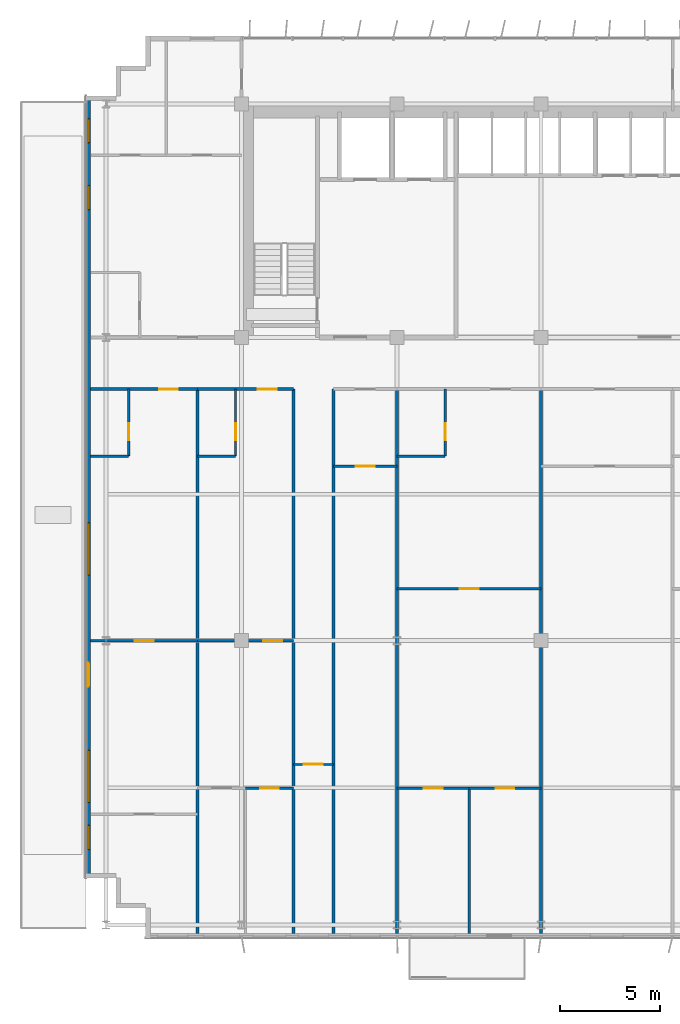
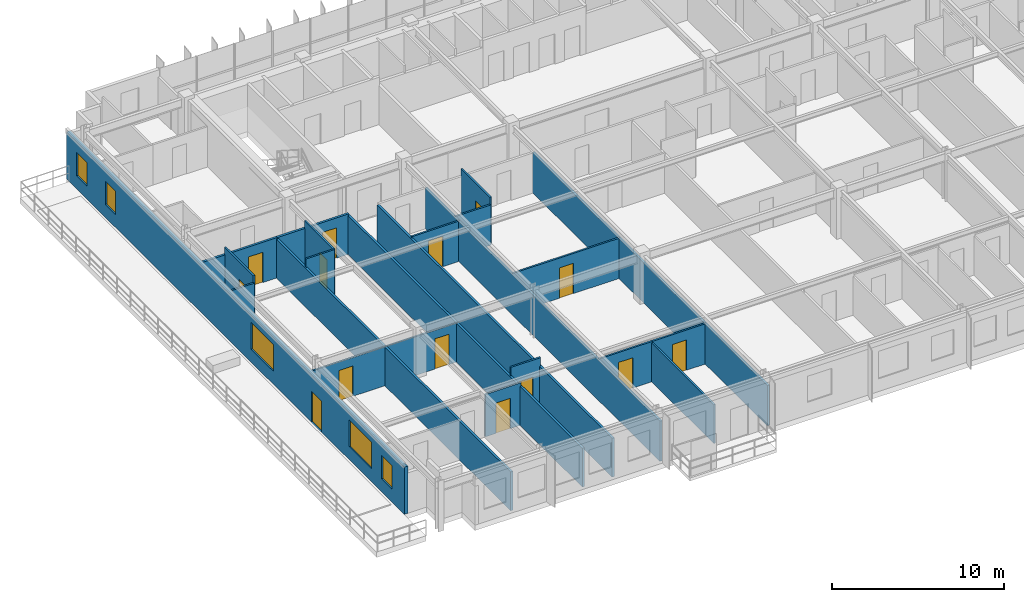
# One storey, part 14 of 22: 23 walls, 14 doors, 5 windows, 19 openings.
"""IFC4 building model written with IfcOpenShell, lengths in metres."""

from ifc_helpers import new_model, si_unit, direction, frame, frame_2d, origin, place, context, subcontext, project, spatial, rectangle, extrude, source, transform, mapped, material, layer, layer_set, type_object, element, fill, save


model = new_model("IFC4")

# Units and contexts
model_context = context("Model", 3, precision=1e-05, world=origin(), true_north=direction((0.0, 1.0)))
body_context = subcontext(model_context, "Body", "Model", "MODEL_VIEW")
ifc_project = project(units=[si_unit("LENGTHUNIT", "METRE"), si_unit("AREAUNIT", "SQUARE_METRE"), si_unit("VOLUMEUNIT", "CUBIC_METRE"), si_unit("PLANEANGLEUNIT", "RADIAN"), si_unit("MASSUNIT", "GRAM", prefix="KILO")], contexts=[model_context])

# Site, building, storey
site_placement = place(None, origin())
site = spatial("IfcSite", under=ifc_project, at=site_placement, CompositionType="ELEMENT")
building_placement = place(site_placement, origin())
building = spatial("IfcBuilding", under=site, at=building_placement, Name="Trelvane Seafront Commons", CompositionType="ELEMENT")
storey_placement = place(building_placement, frame((0.0, 0.0, 132.10009765625)))
storey = spatial("IfcBuildingStorey", under=building, at=storey_placement, Name="L34", CompositionType="ELEMENT", Elevation=132.10009765625)

# Wall, openings, windows, door
ifc_material_1 = material(Name="Precast concrete C40/50", Category="concrete")
ifc_layer_1 = layer(ifc_material_1, 0.239990234375, Name="ARCH-WALL-EXT240")
ifc_layer_set_1 = layer_set([ifc_layer_1], Name="Precast concrete C40/50")
wall_type_1 = type_object("IfcWallType", Name="ARCH-WALL-EXT240", PredefinedType="SOLIDWALL", material=ifc_layer_set_1)
wall_1_placement = place(storey_placement, frame((7.919921875, 6.300048828125, 0.0), z_axis=(0.0, 0.0, 1.0), x_axis=(0.0, 1.0, 0.0)))
wall_1 = element("IfcWall", 1, at=wall_1_placement, inside=storey, type_object=wall_type_1, Name="EW-L34-00658", PredefinedType="SOLIDWALL", context=body_context, shape_type="SweptSolid", body=[
    extrude(rectangle(XDim=39.199951171875, YDim=0.239990234375, at=frame_2d((19.60009765625, 0.0))), origin(), (0.0, 0.0, 1.0), 3.349853515625),
])
opening_1_placement = place(wall_1_placement, frame((9.60009765625, 0.0, 0.0)))
opening_1 = element("IfcOpeningElement", 2, at=opening_1_placement, cuts=wall_1, Name="Opening TD-L34-79", PredefinedType="OPENING", context=body_context, shape_type="SweptSolid", body=[
    extrude(rectangle(XDim=1.199951171875, YDim=2.199951171875, at=frame_2d((0.60009765625, 1.10009765625))), frame((0.0, 0.1298828125, 0.0), z_axis=(0.0, -1.0, 0.0), x_axis=(1.0, 0.0, 0.0)), (0.0, 0.0, 1.0), 0.260009765625),
])
opening_2_placement = place(wall_1_placement, frame((1.449951171875, 0.0, 0.919921875)))
opening_2 = element("IfcOpeningElement", 3, at=opening_2_placement, cuts=wall_1, Name="Opening W05", PredefinedType="OPENING", context=body_context, shape_type="SweptSolid", body=[
    extrude(rectangle(XDim=1.199951171875, YDim=1.64990234375, at=frame_2d((0.60009765625, 0.824951171875))), frame((0.0, 0.1298828125, 0.0), z_axis=(0.0, -1.0, 0.0), x_axis=(1.0, 0.0, 0.0)), (0.0, 0.0, 1.0), 0.260009765625),
])
opening_3_placement = place(wall_1_placement, frame((3.800048828125, 0.0, 0.919921875)))
opening_3 = element("IfcOpeningElement", 4, at=opening_3_placement, cuts=wall_1, Name="Opening W04", PredefinedType="OPENING", context=body_context, shape_type="SweptSolid", body=[
    extrude(rectangle(XDim=2.60009765625, YDim=1.89990234375, at=frame_2d((1.300048828125, 0.949951171875))), frame((0.0, 0.1298828125, 0.0), z_axis=(0.0, -1.0, 0.0), x_axis=(1.0, 0.0, 0.0)), (0.0, 0.0, 1.0), 0.260009765625),
])
opening_4_placement = place(wall_1_placement, frame((15.199951171875, 0.0, 0.919921875)))
opening_4 = element("IfcOpeningElement", 5, at=opening_4_placement, cuts=wall_1, Name="Opening W04", PredefinedType="OPENING", context=body_context, shape_type="SweptSolid", body=[
    extrude(rectangle(XDim=2.60009765625, YDim=1.89990234375, at=frame_2d((1.300048828125, 0.949951171875))), frame((0.0, 0.1298828125, 0.0), z_axis=(0.0, -1.0, 0.0), x_axis=(1.0, 0.0, 0.0)), (0.0, 0.0, 1.0), 0.260009765625),
])
opening_5_placement = place(wall_1_placement, frame((33.5, 0.0, 0.919921875)))
opening_5 = element("IfcOpeningElement", 6, at=opening_5_placement, cuts=wall_1, Name="Opening W05", PredefinedType="OPENING", context=body_context, shape_type="SweptSolid", body=[
    extrude(rectangle(XDim=1.199951171875, YDim=1.64990234375, at=frame_2d((0.60009765625, 0.824951171875))), frame((0.0, 0.1298828125, 0.0), z_axis=(0.0, -1.0, 0.0), x_axis=(1.0, 0.0, 0.0)), (0.0, 0.0, 1.0), 0.260009765625),
])
opening_6_placement = place(wall_1_placement, frame((36.85009765625, 0.0, 0.919921875)))
opening_6 = element("IfcOpeningElement", 7, at=opening_6_placement, cuts=wall_1, Name="Opening W05", PredefinedType="OPENING", context=body_context, shape_type="SweptSolid", body=[
    extrude(rectangle(XDim=1.199951171875, YDim=1.64990234375, at=frame_2d((0.60009765625, 0.824951171875))), frame((0.0, 0.1298828125, 0.0), z_axis=(0.0, -1.0, 0.0), x_axis=(1.0, 0.0, 0.0)), (0.0, 0.0, 1.0), 0.260009765625),
])
ifc_material_2 = material(Name="Low-E coastal double glazing", Category="glass")
window_type_1 = type_object("IfcWindowType", Name="ARCH-WIN-W04", PartitioningType="SINGLE_PANEL", PredefinedType="WINDOW", material=ifc_material_2)
shared_shape_1 = source(origin(), body_context, "Body", "SweptSolid", [
    extrude(rectangle(XDim=2.60009765625, YDim=1.89990234375, at=frame_2d((1.300048828125, 0.949951171875))), frame((0.0, 0.030029296875, 0.0), z_axis=(0.0, -1.0, 0.0), x_axis=(1.0, 0.0, 0.0)), (0.0, 0.0, 1.0), 0.06005859375),
])
window_1_placement = place(opening_3_placement, origin())
window_1 = element("IfcWindow", 8, at=window_1_placement, inside=storey, type_object=window_type_1, Name="WIN-L34-EW-00762", OverallHeight=1.89990234375, OverallWidth=2.60009765625, PartitioningType="SINGLE_PANEL", PredefinedType="WINDOW", context=body_context, shape_type="MappedRepresentation", body=[
    mapped(shared_shape_1, transform((0.0, 0.0, 0.0), x_axis=(1.0, 0.0, 0.0), y_axis=(0.0, 1.0, 0.0), z_axis=(0.0, 0.0, 1.0), scale=1.0)),
])
fill(opening_3, window_1)
window_2_placement = place(opening_4_placement, origin())
window_2 = element("IfcWindow", 9, at=window_2_placement, inside=storey, type_object=window_type_1, Name="WIN-L34-EW-00763", OverallHeight=1.89990234375, OverallWidth=2.60009765625, PartitioningType="SINGLE_PANEL", PredefinedType="WINDOW", context=body_context, shape_type="MappedRepresentation", body=[
    mapped(shared_shape_1, transform((0.0, 0.0, 0.0), x_axis=(1.0, 0.0, 0.0), y_axis=(0.0, 1.0, 0.0), z_axis=(0.0, 0.0, 1.0), scale=1.0)),
])
fill(opening_4, window_2)
window_type_2 = type_object("IfcWindowType", Name="ARCH-WIN-W05", PartitioningType="SINGLE_PANEL", PredefinedType="WINDOW", material=ifc_material_2)
shared_shape_2 = source(origin(), body_context, "Body", "SweptSolid", [
    extrude(rectangle(XDim=1.199951171875, YDim=1.64990234375, at=frame_2d((0.60009765625, 0.824951171875))), frame((0.0, 0.030029296875, 0.0), z_axis=(0.0, -1.0, 0.0), x_axis=(1.0, 0.0, 0.0)), (0.0, 0.0, 1.0), 0.06005859375),
])
window_3_placement = place(opening_2_placement, origin())
window_3 = element("IfcWindow", 10, at=window_3_placement, inside=storey, type_object=window_type_2, Name="WIN-L34-EW-00761", OverallHeight=1.64990234375, OverallWidth=1.199951171875, PartitioningType="SINGLE_PANEL", PredefinedType="WINDOW", context=body_context, shape_type="MappedRepresentation", body=[
    mapped(shared_shape_2, transform((0.0, 0.0, 0.0), x_axis=(1.0, 0.0, 0.0), y_axis=(0.0, 1.0, 0.0), z_axis=(0.0, 0.0, 1.0), scale=1.0)),
])
fill(opening_2, window_3)
window_4_placement = place(opening_5_placement, origin())
window_4 = element("IfcWindow", 11, at=window_4_placement, inside=storey, type_object=window_type_2, Name="WIN-L34-EW-00764", OverallHeight=1.64990234375, OverallWidth=1.199951171875, PartitioningType="SINGLE_PANEL", PredefinedType="WINDOW", context=body_context, shape_type="MappedRepresentation", body=[
    mapped(shared_shape_2, transform((0.0, 0.0, 0.0), x_axis=(1.0, 0.0, 0.0), y_axis=(0.0, 1.0, 0.0), z_axis=(0.0, 0.0, 1.0), scale=1.0)),
])
fill(opening_5, window_4)
window_5_placement = place(opening_6_placement, origin())
window_5 = element("IfcWindow", 12, at=window_5_placement, inside=storey, type_object=window_type_2, Name="WIN-L34-EW-00765", OverallHeight=1.64990234375, OverallWidth=1.199951171875, PartitioningType="SINGLE_PANEL", PredefinedType="WINDOW", context=body_context, shape_type="MappedRepresentation", body=[
    mapped(shared_shape_2, transform((0.0, 0.0, 0.0), x_axis=(1.0, 0.0, 0.0), y_axis=(0.0, 1.0, 0.0), z_axis=(0.0, 0.0, 1.0), scale=1.0)),
])
fill(opening_6, window_5)
ifc_material_3 = material(Name="Powder-coated aluminium frame", Category="aluminium")
door_type_1 = type_object("IfcDoorType", Name="ARCH-DR-BAL1200", OperationType="NOTDEFINED", PredefinedType="DOOR", material=ifc_material_3)
shared_shape_3 = source(origin(), body_context, "Body", "SweptSolid", [
    extrude(rectangle(XDim=1.199951171875, YDim=2.199951171875, at=frame_2d((0.60009765625, 1.10009765625))), frame((0.0, 0.02490234375, 0.0), z_axis=(0.0, -1.0, 0.0), x_axis=(1.0, 0.0, 0.0)), (0.0, 0.0, 1.0), 0.050048828125),
])
door_1_placement = place(opening_1_placement, origin())
door_1 = element("IfcDoor", 13, at=door_1_placement, inside=storey, type_object=door_type_1, Name="L34 Setback Terrace Access Door", OperationType="SINGLE_SWING_RIGHT", OverallHeight=2.199951171875, OverallWidth=1.199951171875, PredefinedType="DOOR", context=body_context, shape_type="MappedRepresentation", body=[
    mapped(shared_shape_3, transform((0.0, 0.0, 0.0), x_axis=(1.0, 0.0, 0.0), y_axis=(0.0, 1.0, 0.0), z_axis=(0.0, 0.0, 1.0), scale=1.0)),
])
fill(opening_1, door_1)

# Wall, opening, door
ifc_material_4 = material(Name="Gypsum Drywall Acoustic Partition")
ifc_layer_2 = layer(ifc_material_4, 0.1201171875, Name="ARCH-WALL-PART120")
ifc_layer_set_2 = layer_set([ifc_layer_2], Name="Gypsum Drywall Acoustic Partition")
wall_type_2 = type_object("IfcWallType", Name="ARCH-WALL-PART120", PredefinedType="PARTITIONING", material=ifc_layer_set_2)
wall_2_placement = place(storey_placement, frame((8.0400390625, 18.199951171875, 0.0), z_axis=(0.0, 0.0, 1.0), x_axis=(1.0, 0.0, 0.0)))
wall_2 = element("IfcWall", 14, at=wall_2_placement, inside=storey, type_object=wall_type_2, Name="W-L34-U1-KL-060", PredefinedType="PARTITIONING", context=body_context, shape_type="SweptSolid", body=[
    extrude(rectangle(XDim=5.35986328125, YDim=0.1201171875, at=frame_2d((2.679931640625, 0.0))), origin(), (0.0, 0.0, 1.0), 2.75),
])
opening_7_placement = place(wall_2_placement, frame((2.205078125, 0.0, 0.0)))
opening_7 = element("IfcOpeningElement", 15, at=opening_7_placement, cuts=wall_2, Name="Opening D-L34-29", PredefinedType="OPENING", context=body_context, shape_type="SweptSolid", body=[
    extrude(rectangle(XDim=0.949951171875, YDim=2.14990234375, at=frame_2d((0.47509765625, 1.074951171875))), frame((0.0, 0.070068359375, 0.0), z_axis=(0.0, -1.0, 0.0), x_axis=(1.0, 0.0, 0.0)), (0.0, 0.0, 1.0), 0.14013671875),
])
ifc_material_5 = material(Name="Acoustic timber door leaf", Category="wood")
door_type_2 = type_object("IfcDoorType", Name="ARCH-DR-INT950", OperationType="NOTDEFINED", PredefinedType="DOOR", material=ifc_material_5)
shared_shape_4 = source(origin(), body_context, "Body", "SweptSolid", [
    extrude(rectangle(XDim=0.949951171875, YDim=2.14990234375, at=frame_2d((0.47509765625, 1.074951171875))), frame((0.0, 0.02490234375, 0.0), z_axis=(0.0, -1.0, 0.0), x_axis=(1.0, 0.0, 0.0)), (0.0, 0.0, 1.0), 0.050048828125),
])
door_2_placement = place(opening_7_placement, origin())
door_2 = element("IfcDoor", 16, at=door_2_placement, inside=storey, type_object=door_type_2, Name="L34 Door 29", OperationType="SINGLE_SWING_LEFT", OverallHeight=2.14990234375, OverallWidth=0.949951171875, PredefinedType="DOOR", context=body_context, shape_type="MappedRepresentation", body=[
    mapped(shared_shape_4, transform((0.0, 0.0, 0.0), x_axis=(1.0, 0.0, 0.0), y_axis=(0.0, 1.0, 0.0), z_axis=(0.0, 0.0, 1.0), scale=1.0)),
])
fill(opening_7, door_2)

wall_3_placement = place(storey_placement, frame((9.93994140625, 27.449951171875, 0.0), z_axis=(0.0, 0.0, 1.0), x_axis=(0.0, 1.0, 0.0)))
wall_3 = element("IfcWall", 17, at=wall_3_placement, inside=storey, type_object=wall_type_2, Name="W-L34-U1-BE-061", PredefinedType="PARTITIONING", context=body_context, shape_type="SweptSolid", body=[
    extrude(rectangle(XDim=3.35009765625, YDim=0.1201171875, at=frame_2d((1.675048828125, 0.0))), origin(), (0.0, 0.0, 1.0), 3.349853515625),
])
opening_8_placement = place(wall_3_placement, frame((0.800048828125, 0.0, 0.0)))
opening_8 = element("IfcOpeningElement", 18, at=opening_8_placement, cuts=wall_3, Name="Opening D-L34-30", PredefinedType="OPENING", context=body_context, shape_type="SweptSolid", body=[
    extrude(rectangle(XDim=0.85009765625, YDim=2.10009765625, at=frame_2d((0.425048828125, 1.050048828125))), frame((0.0, 0.070068359375, 0.0), z_axis=(0.0, -1.0, 0.0), x_axis=(1.0, 0.0, 0.0)), (0.0, 0.0, 1.0), 0.14013671875),
])
door_type_3 = type_object("IfcDoorType", Name="ARCH-DR-INT850", OperationType="NOTDEFINED", PredefinedType="DOOR", material=ifc_material_5)
shared_shape_5 = source(origin(), body_context, "Body", "SweptSolid", [
    extrude(rectangle(XDim=0.85009765625, YDim=2.10009765625, at=frame_2d((0.425048828125, 1.050048828125))), frame((0.0, 0.02490234375, 0.0), z_axis=(0.0, -1.0, 0.0), x_axis=(1.0, 0.0, 0.0)), (0.0, 0.0, 1.0), 0.050048828125),
])
door_3_placement = place(opening_8_placement, origin())
door_3 = element("IfcDoor", 19, at=door_3_placement, inside=storey, type_object=door_type_3, Name="L34 Door 30", OperationType="SINGLE_SWING_RIGHT", OverallHeight=2.10009765625, OverallWidth=0.85009765625, PredefinedType="DOOR", context=body_context, shape_type="MappedRepresentation", body=[
    mapped(shared_shape_5, transform((0.0, 0.0, 0.0), x_axis=(1.0, 0.0, 0.0), y_axis=(0.0, 1.0, 0.0), z_axis=(0.0, 0.0, 1.0), scale=1.0)),
])
fill(opening_8, door_3)

# Wall
wall_4_placement = place(storey_placement, frame((8.0400390625, 27.449951171875, 0.0), z_axis=(0.0, 0.0, 1.0), x_axis=(1.0, 0.0, 0.0)))
element("IfcWall", 20, at=wall_4_placement, inside=storey, type_object=wall_type_2, Name="W-L34-U1-BS-062", PredefinedType="PARTITIONING", context=body_context, shape_type="SweptSolid", body=[
    extrude(rectangle(XDim=1.89990234375, YDim=0.1201171875, at=frame_2d((0.949951171875, 0.0))), origin(), (0.0, 0.0, 1.0), 2.849853515625),
])

# Wall, opening, door
wall_5_placement = place(storey_placement, frame((13.39990234375, 18.199951171875, 0.0), z_axis=(0.0, 0.0, 1.0), x_axis=(1.0, 0.0, 0.0)))
wall_5 = element("IfcWall", 21, at=wall_5_placement, inside=storey, type_object=wall_type_2, Name="W-L34-U2-KL-065", PredefinedType="PARTITIONING", context=body_context, shape_type="SweptSolid", body=[
    extrude(rectangle(XDim=4.800048828125, YDim=0.1201171875, at=frame_2d((2.39990234375, 0.0))), origin(), (0.0, 0.0, 1.0), 2.75),
])
opening_9_placement = place(wall_5_placement, frame((3.2880859375, 0.0, 0.0)))
opening_9 = element("IfcOpeningElement", 22, at=opening_9_placement, cuts=wall_5, Name="Opening D-L34-33", PredefinedType="OPENING", context=body_context, shape_type="SweptSolid", body=[
    extrude(rectangle(XDim=0.949951171875, YDim=2.14990234375, at=frame_2d((0.47509765625, 1.074951171875))), frame((0.0, 0.070068359375, 0.0), z_axis=(0.0, -1.0, 0.0), x_axis=(1.0, 0.0, 0.0)), (0.0, 0.0, 1.0), 0.14013671875),
])
door_4_placement = place(opening_9_placement, origin())
door_4 = element("IfcDoor", 23, at=door_4_placement, inside=storey, type_object=door_type_2, Name="L34 Door 33", OperationType="SINGLE_SWING_LEFT", OverallHeight=2.14990234375, OverallWidth=0.949951171875, PredefinedType="DOOR", context=body_context, shape_type="MappedRepresentation", body=[
    mapped(shared_shape_4, transform((0.0, 0.0, 0.0), x_axis=(1.0, 0.0, 0.0), y_axis=(0.0, 1.0, 0.0), z_axis=(0.0, 0.0, 1.0), scale=1.0)),
])
fill(opening_9, door_4)

wall_6_placement = place(storey_placement, frame((15.300048828125, 27.449951171875, 0.0), z_axis=(0.0, 0.0, 1.0), x_axis=(0.0, 1.0, 0.0)))
wall_6 = element("IfcWall", 24, at=wall_6_placement, inside=storey, type_object=wall_type_2, Name="W-L34-U2-BE-066", PredefinedType="PARTITIONING", context=body_context, shape_type="SweptSolid", body=[
    extrude(rectangle(XDim=3.35009765625, YDim=0.1201171875, at=frame_2d((1.675048828125, 0.0))), origin(), (0.0, 0.0, 1.0), 3.349853515625),
])
opening_10_placement = place(wall_6_placement, frame((0.800048828125, 0.0, 0.0)))
opening_10 = element("IfcOpeningElement", 25, at=opening_10_placement, cuts=wall_6, Name="Opening D-L34-34", PredefinedType="OPENING", context=body_context, shape_type="SweptSolid", body=[
    extrude(rectangle(XDim=0.85009765625, YDim=2.10009765625, at=frame_2d((0.425048828125, 1.050048828125))), frame((0.0, 0.070068359375, 0.0), z_axis=(0.0, -1.0, 0.0), x_axis=(1.0, 0.0, 0.0)), (0.0, 0.0, 1.0), 0.14013671875),
])
door_5_placement = place(opening_10_placement, origin())
door_5 = element("IfcDoor", 26, at=door_5_placement, inside=storey, type_object=door_type_3, Name="L34 Door 34", OperationType="SINGLE_SWING_RIGHT", OverallHeight=2.10009765625, OverallWidth=0.85009765625, PredefinedType="DOOR", context=body_context, shape_type="MappedRepresentation", body=[
    mapped(shared_shape_5, transform((0.0, 0.0, 0.0), x_axis=(1.0, 0.0, 0.0), y_axis=(0.0, 1.0, 0.0), z_axis=(0.0, 0.0, 1.0), scale=1.0)),
])
fill(opening_10, door_5)

# Wall
wall_7_placement = place(storey_placement, frame((13.39990234375, 27.449951171875, 0.0), z_axis=(0.0, 0.0, 1.0), x_axis=(1.0, 0.0, 0.0)))
element("IfcWall", 27, at=wall_7_placement, inside=storey, type_object=wall_type_2, Name="W-L34-U2-BS-067", PredefinedType="PARTITIONING", context=body_context, shape_type="SweptSolid", body=[
    extrude(rectangle(XDim=1.900146484375, YDim=0.1201171875, at=frame_2d((0.9501953125, 0.0))), origin(), (0.0, 0.0, 1.0), 3.349853515625),
])

# Wall, opening, door
wall_8_placement = place(storey_placement, frame((15.800048828125, 10.800048828125, 0.0), z_axis=(0.0, 0.0, 1.0), x_axis=(1.0, 0.0, 0.0)))
wall_8 = element("IfcWall", 28, at=wall_8_placement, inside=storey, type_object=wall_type_2, Name="W-L34-U2-YM-2-070", PredefinedType="PARTITIONING", context=body_context, shape_type="SweptSolid", body=[
    extrude(rectangle(XDim=2.39990234375, YDim=0.1201171875, at=frame_2d((1.199951171875, 0.0))), origin(), (0.0, 0.0, 1.0), 3.0),
])
opening_11_placement = place(wall_8_placement, frame((0.72509765625, 0.0, 0.0)))
opening_11 = element("IfcOpeningElement", 29, at=opening_11_placement, cuts=wall_8, Name="Opening D-L34-37", PredefinedType="OPENING", context=body_context, shape_type="SweptSolid", body=[
    extrude(rectangle(XDim=0.949951171875, YDim=2.14990234375, at=frame_2d((0.47509765625, 1.074951171875))), frame((0.0, 0.070068359375, 0.0), z_axis=(0.0, -1.0, 0.0), x_axis=(1.0, 0.0, 0.0)), (0.0, 0.0, 1.0), 0.14013671875),
])
door_6_placement = place(opening_11_placement, origin())
door_6 = element("IfcDoor", 30, at=door_6_placement, inside=storey, type_object=door_type_2, Name="L34 Door 37", OperationType="SINGLE_SWING_LEFT", OverallHeight=2.14990234375, OverallWidth=0.949951171875, PredefinedType="DOOR", context=body_context, shape_type="MappedRepresentation", body=[
    mapped(shared_shape_4, transform((0.0, 0.0, 0.0), x_axis=(1.0, 0.0, 0.0), y_axis=(0.0, 1.0, 0.0), z_axis=(0.0, 0.0, 1.0), scale=1.0)),
])
fill(opening_11, door_6)

wall_9_placement = place(storey_placement, frame((18.199951171875, 12.0, 0.0), z_axis=(0.0, 0.0, 1.0), x_axis=(1.0, 0.0, 0.0)))
wall_9 = element("IfcWall", 31, at=wall_9_placement, inside=storey, type_object=wall_type_2, Name="W-L34-ARM-END-3-074", PredefinedType="PARTITIONING", context=body_context, shape_type="SweptSolid", body=[
    extrude(rectangle(XDim=2.0, YDim=0.1201171875, at=frame_2d((1.0, 0.0))), origin(), (0.0, 0.0, 1.0), 3.349853515625),
])
opening_12_placement = place(wall_9_placement, frame((0.52001953125, 0.0, 0.0)))
opening_12 = element("IfcOpeningElement", 32, at=opening_12_placement, cuts=wall_9, Name="Opening D-L34-38", PredefinedType="OPENING", context=body_context, shape_type="SweptSolid", body=[
    extrude(rectangle(XDim=0.949951171875, YDim=2.14990234375, at=frame_2d((0.47509765625, 1.074951171875))), frame((0.0, 0.070068359375, 0.0), z_axis=(0.0, -1.0, 0.0), x_axis=(1.0, 0.0, 0.0)), (0.0, 0.0, 1.0), 0.14013671875),
])
door_7_placement = place(opening_12_placement, origin())
door_7 = element("IfcDoor", 33, at=door_7_placement, inside=storey, type_object=door_type_2, Name="L34 Door 38", OperationType="SINGLE_SWING_RIGHT", OverallHeight=2.14990234375, OverallWidth=0.949951171875, PredefinedType="DOOR", context=body_context, shape_type="MappedRepresentation", body=[
    mapped(shared_shape_4, transform((0.0, 0.0, 0.0), x_axis=(1.0, 0.0, 0.0), y_axis=(0.0, 1.0, 0.0), z_axis=(0.0, 0.0, 1.0), scale=1.0)),
])
fill(opening_12, door_7)

wall_10_placement = place(storey_placement, frame((20.199951171875, 26.949951171875, 0.0), z_axis=(0.0, 0.0, 1.0), x_axis=(1.0, 0.0, 0.0)))
wall_10 = element("IfcWall", 34, at=wall_10_placement, inside=storey, type_object=wall_type_2, Name="W-L34-U4-DIV-076", PredefinedType="PARTITIONING", context=body_context, shape_type="SweptSolid", body=[
    extrude(rectangle(XDim=3.199951171875, YDim=0.1201171875, at=frame_2d((1.60009765625, 0.0))), origin(), (0.0, 0.0, 1.0), 2.849853515625),
])
opening_13_placement = place(wall_10_placement, frame((1.125, 0.0, 0.0)))
opening_13 = element("IfcOpeningElement", 35, at=opening_13_placement, cuts=wall_10, Name="Opening D-L34-40", PredefinedType="OPENING", context=body_context, shape_type="SweptSolid", body=[
    extrude(rectangle(XDim=0.949951171875, YDim=2.14990234375, at=frame_2d((0.47509765625, 1.074951171875))), frame((0.0, 0.070068359375, 0.0), z_axis=(0.0, -1.0, 0.0), x_axis=(1.0, 0.0, 0.0)), (0.0, 0.0, 1.0), 0.14013671875),
])
door_8_placement = place(opening_13_placement, origin())
door_8 = element("IfcDoor", 36, at=door_8_placement, inside=storey, type_object=door_type_2, Name="L34 Door 40", OperationType="SINGLE_SWING_RIGHT", OverallHeight=2.14990234375, OverallWidth=0.949951171875, PredefinedType="DOOR", context=body_context, shape_type="MappedRepresentation", body=[
    mapped(shared_shape_4, transform((0.0, 0.0, 0.0), x_axis=(1.0, 0.0, 0.0), y_axis=(0.0, 1.0, 0.0), z_axis=(0.0, 0.0, 1.0), scale=1.0)),
])
fill(opening_13, door_8)

wall_11_placement = place(storey_placement, frame((23.39990234375, 20.800048828125, 0.0), z_axis=(0.0, 0.0, 1.0), x_axis=(1.0, 0.0, 0.0)))
wall_11 = element("IfcWall", 37, at=wall_11_placement, inside=storey, type_object=wall_type_2, Name="W-L34-U5-KL-077", PredefinedType="PARTITIONING", context=body_context, shape_type="SweptSolid", body=[
    extrude(rectangle(XDim=7.2001953125, YDim=0.1201171875, at=frame_2d((3.60009765625, 0.0))), origin(), (0.0, 0.0, 1.0), 2.849853515625),
])
opening_14_placement = place(wall_11_placement, frame((3.125, 0.0, 0.0)))
opening_14 = element("IfcOpeningElement", 38, at=opening_14_placement, cuts=wall_11, Name="Opening D-L34-41", PredefinedType="OPENING", context=body_context, shape_type="SweptSolid", body=[
    extrude(rectangle(XDim=0.949951171875, YDim=2.14990234375, at=frame_2d((0.47509765625, 1.074951171875))), frame((0.0, 0.070068359375, 0.0), z_axis=(0.0, -1.0, 0.0), x_axis=(1.0, 0.0, 0.0)), (0.0, 0.0, 1.0), 0.14013671875),
])
door_9_placement = place(opening_14_placement, origin())
door_9 = element("IfcDoor", 39, at=door_9_placement, inside=storey, type_object=door_type_2, Name="L34 Door 41", OperationType="SINGLE_SWING_LEFT", OverallHeight=2.14990234375, OverallWidth=0.949951171875, PredefinedType="DOOR", context=body_context, shape_type="MappedRepresentation", body=[
    mapped(shared_shape_4, transform((0.0, 0.0, 0.0), x_axis=(1.0, 0.0, 0.0), y_axis=(0.0, 1.0, 0.0), z_axis=(0.0, 0.0, 1.0), scale=1.0)),
])
fill(opening_14, door_9)

wall_12_placement = place(storey_placement, frame((25.800048828125, 27.449951171875, 0.0), z_axis=(0.0, 0.0, 1.0), x_axis=(0.0, 1.0, 0.0)))
wall_12 = element("IfcWall", 40, at=wall_12_placement, inside=storey, type_object=wall_type_2, Name="W-L34-U5-BE-078", PredefinedType="PARTITIONING", context=body_context, shape_type="SweptSolid", body=[
    extrude(rectangle(XDim=3.35009765625, YDim=0.1201171875, at=frame_2d((1.675048828125, 0.0))), origin(), (0.0, 0.0, 1.0), 3.349853515625),
])
opening_15_placement = place(wall_12_placement, frame((0.800048828125, 0.0, 0.0)))
opening_15 = element("IfcOpeningElement", 41, at=opening_15_placement, cuts=wall_12, Name="Opening D-L34-42", PredefinedType="OPENING", context=body_context, shape_type="SweptSolid", body=[
    extrude(rectangle(XDim=0.85009765625, YDim=2.10009765625, at=frame_2d((0.425048828125, 1.050048828125))), frame((0.0, 0.070068359375, 0.0), z_axis=(0.0, -1.0, 0.0), x_axis=(1.0, 0.0, 0.0)), (0.0, 0.0, 1.0), 0.14013671875),
])
door_10_placement = place(opening_15_placement, origin())
door_10 = element("IfcDoor", 42, at=door_10_placement, inside=storey, type_object=door_type_3, Name="L34 Door 42", OperationType="SINGLE_SWING_RIGHT", OverallHeight=2.10009765625, OverallWidth=0.85009765625, PredefinedType="DOOR", context=body_context, shape_type="MappedRepresentation", body=[
    mapped(shared_shape_5, transform((0.0, 0.0, 0.0), x_axis=(1.0, 0.0, 0.0), y_axis=(0.0, 1.0, 0.0), z_axis=(0.0, 0.0, 1.0), scale=1.0)),
])
fill(opening_15, door_10)

# Wall
wall_13_placement = place(storey_placement, frame((23.39990234375, 27.449951171875, 0.0), z_axis=(0.0, 0.0, 1.0), x_axis=(1.0, 0.0, 0.0)))
element("IfcWall", 43, at=wall_13_placement, inside=storey, type_object=wall_type_2, Name="W-L34-U5-BS-079", PredefinedType="PARTITIONING", context=body_context, shape_type="SweptSolid", body=[
    extrude(rectangle(XDim=2.400146484375, YDim=0.1201171875, at=frame_2d((1.2001953125, 0.0))), origin(), (0.0, 0.0, 1.0), 2.849853515625),
])

# Wall, opening, door
wall_14_placement = place(storey_placement, frame((23.39990234375, 10.800048828125, 0.0), z_axis=(0.0, 0.0, 1.0), x_axis=(1.0, 0.0, 0.0)))
wall_14 = element("IfcWall", 44, at=wall_14_placement, inside=storey, type_object=wall_type_2, Name="W-L34-U5-YM-1-081", PredefinedType="PARTITIONING", context=body_context, shape_type="SweptSolid", body=[
    extrude(rectangle(XDim=3.60009765625, YDim=0.1201171875, at=frame_2d((1.800048828125, 0.0))), origin(), (0.0, 0.0, 1.0), 2.849853515625),
])
opening_16_placement = place(wall_14_placement, frame((1.324951171875, 0.0, 0.0)))
opening_16 = element("IfcOpeningElement", 45, at=opening_16_placement, cuts=wall_14, Name="Opening D-L34-44", PredefinedType="OPENING", context=body_context, shape_type="SweptSolid", body=[
    extrude(rectangle(XDim=0.949951171875, YDim=2.14990234375, at=frame_2d((0.47509765625, 1.074951171875))), frame((0.0, 0.070068359375, 0.0), z_axis=(0.0, -1.0, 0.0), x_axis=(1.0, 0.0, 0.0)), (0.0, 0.0, 1.0), 0.14013671875),
])
door_11_placement = place(opening_16_placement, origin())
door_11 = element("IfcDoor", 46, at=door_11_placement, inside=storey, type_object=door_type_2, Name="L34 Door 44", OperationType="SINGLE_SWING_RIGHT", OverallHeight=2.14990234375, OverallWidth=0.949951171875, PredefinedType="DOOR", context=body_context, shape_type="MappedRepresentation", body=[
    mapped(shared_shape_4, transform((0.0, 0.0, 0.0), x_axis=(1.0, 0.0, 0.0), y_axis=(0.0, 1.0, 0.0), z_axis=(0.0, 0.0, 1.0), scale=1.0)),
])
fill(opening_16, door_11)

wall_15_placement = place(storey_placement, frame((27.0, 10.800048828125, 0.0), z_axis=(0.0, 0.0, 1.0), x_axis=(1.0, 0.0, 0.0)))
wall_15 = element("IfcWall", 47, at=wall_15_placement, inside=storey, type_object=wall_type_2, Name="W-L34-U5-YM-2-082", PredefinedType="PARTITIONING", context=body_context, shape_type="SweptSolid", body=[
    extrude(rectangle(XDim=3.60009765625, YDim=0.1201171875, at=frame_2d((1.800048828125, 0.0))), origin(), (0.0, 0.0, 1.0), 2.849853515625),
])
opening_17_placement = place(wall_15_placement, frame((1.324951171875, 0.0, 0.0)))
opening_17 = element("IfcOpeningElement", 48, at=opening_17_placement, cuts=wall_15, Name="Opening D-L34-45", PredefinedType="OPENING", context=body_context, shape_type="SweptSolid", body=[
    extrude(rectangle(XDim=0.949951171875, YDim=2.14990234375, at=frame_2d((0.47509765625, 1.074951171875))), frame((0.0, 0.070068359375, 0.0), z_axis=(0.0, -1.0, 0.0), x_axis=(1.0, 0.0, 0.0)), (0.0, 0.0, 1.0), 0.14013671875),
])
door_12_placement = place(opening_17_placement, origin())
door_12 = element("IfcDoor", 49, at=door_12_placement, inside=storey, type_object=door_type_2, Name="L34 Door 45", OperationType="SINGLE_SWING_LEFT", OverallHeight=2.14990234375, OverallWidth=0.949951171875, PredefinedType="DOOR", context=body_context, shape_type="MappedRepresentation", body=[
    mapped(shared_shape_4, transform((0.0, 0.0, 0.0), x_axis=(1.0, 0.0, 0.0), y_axis=(0.0, 1.0, 0.0), z_axis=(0.0, 0.0, 1.0), scale=1.0)),
])
fill(opening_17, door_12)

# Walls
wall_16_placement = place(storey_placement, frame((27.0, 3.52490234375, 0.0), z_axis=(0.0, 0.0, 1.0), x_axis=(0.0, 1.0, 0.0)))
element("IfcWall", 50, at=wall_16_placement, inside=storey, type_object=wall_type_2, Name="W-L34-U5-BDV-1-083", PredefinedType="PARTITIONING", context=body_context, shape_type="SweptSolid", body=[
    extrude(rectangle(XDim=7.275146484375, YDim=0.1201171875, at=frame_2d((3.6376953125, 0.0))), origin(), (0.0, 0.0, 1.0), 2.75),
])
ifc_layer_3 = layer(ifc_material_4, 0.14990234375, Name="ARCH-WALL-PART150")
ifc_layer_set_3 = layer_set([ifc_layer_3], Name="Gypsum Drywall Acoustic Partition")
wall_type_3 = type_object("IfcWallType", Name="ARCH-WALL-PART150", PredefinedType="PARTITIONING", material=ifc_layer_set_3)
wall_17_placement = place(storey_placement, frame((13.39990234375, 3.52490234375, 0.0), z_axis=(0.0, 0.0, 1.0), x_axis=(0.0, 1.0, 0.0)))
element("IfcWall", 51, at=wall_17_placement, inside=storey, type_object=wall_type_3, Name="W-L34-PW-1-053", PredefinedType="PARTITIONING", context=body_context, shape_type="SweptSolid", body=[
    extrude(rectangle(XDim=27.275146484375, YDim=0.14990234375, at=frame_2d((13.6376953125, 0.0))), origin(), (0.0, 0.0, 1.0), 2.75),
])
for number, where, z_axis, x_axis, name in (
    (52, (23.39990234375, 3.52490234375, 0.0), (0.0, 0.0, 1.0), (0.0, 1.0, 0.0), "W-L34-PW-4-054"),
    (53, (30.60009765625, 3.52490234375, 0.0), (0.0, 0.0, 1.0), (0.0, 1.0, 0.0), "W-L34-PW-5-055"),
):
    element("IfcWall", number, at=place(storey_placement, frame(where, z_axis=z_axis, x_axis=x_axis)), inside=storey, type_object=wall_type_3, Name=name, PredefinedType="PARTITIONING", context=body_context, shape_type="SweptSolid", body=[
        extrude(rectangle(XDim=27.275146484375, YDim=0.14990234375, at=frame_2d((13.6376953125, 0.0))), origin(), (0.0, 0.0, 1.0), 2.849853515625),
    ])

# Wall, opening, door
wall_18_placement = place(storey_placement, frame((8.02490234375, 30.800048828125, 0.0), z_axis=(0.0, 0.0, 1.0), x_axis=(1.0, 0.0, 0.0)))
wall_18 = element("IfcWall", 54, at=wall_18_placement, inside=storey, type_object=wall_type_3, Name="W-L34-CS-BAY-1-063", PredefinedType="PARTITIONING", context=body_context, shape_type="SweptSolid", body=[
    extrude(rectangle(XDim=5.375, YDim=0.14990234375, at=frame_2d((2.6875, 0.0))), origin(), (0.0, 0.0, 1.0), 2.849853515625),
])
opening_18_placement = place(wall_18_placement, frame((3.43994140625, 0.0, 0.0)))
opening_18 = element("IfcOpeningElement", 55, at=opening_18_placement, cuts=wall_18, Name="Opening FD-L34-31", PredefinedType="OPENING", context=body_context, shape_type="SweptSolid", body=[
    extrude(rectangle(XDim=0.949951171875, YDim=2.14990234375, at=frame_2d((0.47509765625, 1.074951171875))), frame((0.0, 0.0849609375, 0.0), z_axis=(0.0, -1.0, 0.0), x_axis=(1.0, 0.0, 0.0)), (0.0, 0.0, 1.0), 0.169921875),
])
door_type_4 = type_object("IfcDoorType", Name="ARCH-DR-FD60-950", OperationType="NOTDEFINED", PredefinedType="DOOR", material=ifc_material_3)
door_13_placement = place(opening_18_placement, origin())
door_13 = element("IfcDoor", 56, at=door_13_placement, inside=storey, type_object=door_type_4, Name="L34 Unit 01 Entrance Door", OperationType="SINGLE_SWING_LEFT", OverallHeight=2.14990234375, OverallWidth=0.949951171875, PredefinedType="DOOR", context=body_context, shape_type="MappedRepresentation", body=[
    mapped(shared_shape_4, transform((0.0, 0.0, 0.0), x_axis=(1.0, 0.0, 0.0), y_axis=(0.0, 1.0, 0.0), z_axis=(0.0, 0.0, 1.0), scale=1.0)),
])
fill(opening_18, door_13)

wall_19_placement = place(storey_placement, frame((13.39990234375, 30.800048828125, 0.0), z_axis=(0.0, 0.0, 1.0), x_axis=(1.0, 0.0, 0.0)))
wall_19 = element("IfcWall", 57, at=wall_19_placement, inside=storey, type_object=wall_type_3, Name="W-L34-CS-BAY-2-068", PredefinedType="PARTITIONING", context=body_context, shape_type="SweptSolid", body=[
    extrude(rectangle(XDim=4.800048828125, YDim=0.14990234375, at=frame_2d((2.39990234375, 0.0))), origin(), (0.0, 0.0, 1.0), 2.849853515625),
])
opening_19_placement = place(wall_19_placement, frame((3.01904296875, 0.0, 0.0)))
opening_19 = element("IfcOpeningElement", 58, at=opening_19_placement, cuts=wall_19, Name="Opening FD-L34-35", PredefinedType="OPENING", context=body_context, shape_type="SweptSolid", body=[
    extrude(rectangle(XDim=0.949951171875, YDim=2.14990234375, at=frame_2d((0.47509765625, 1.074951171875))), frame((0.0, 0.0849609375, 0.0), z_axis=(0.0, -1.0, 0.0), x_axis=(1.0, 0.0, 0.0)), (0.0, 0.0, 1.0), 0.169921875),
])
door_14_placement = place(opening_19_placement, origin())
door_14 = element("IfcDoor", 59, at=door_14_placement, inside=storey, type_object=door_type_4, Name="L34 Unit 02 Entrance Door", OperationType="SINGLE_SWING_LEFT", OverallHeight=2.14990234375, OverallWidth=0.949951171875, PredefinedType="DOOR", context=body_context, shape_type="MappedRepresentation", body=[
    mapped(shared_shape_4, transform((0.0, 0.0, 0.0), x_axis=(1.0, 0.0, 0.0), y_axis=(0.0, 1.0, 0.0), z_axis=(0.0, 0.0, 1.0), scale=1.0)),
])
fill(opening_19, door_14)

# Walls
for number, where, z_axis, x_axis, name in (
    (60, (18.199951171875, 3.52490234375, 0.0), (0.0, 0.0, 1.0), (0.0, 1.0, 0.0), "W-L34-ARM-W-3-072"),
    (61, (20.199951171875, 3.52490234375, 0.0), (0.0, 0.0, 1.0), (0.0, 1.0, 0.0), "W-L34-ARM-E-3-073"),
):
    element("IfcWall", number, at=place(storey_placement, frame(where, z_axis=z_axis, x_axis=x_axis)), inside=storey, type_object=wall_type_3, Name=name, PredefinedType="PARTITIONING", context=body_context, shape_type="SweptSolid", body=[
        extrude(rectangle(XDim=27.275146484375, YDim=0.14990234375, at=frame_2d((13.6376953125, 0.0))), origin(), (0.0, 0.0, 1.0), 2.75),
    ])

save(model, "model.ifc")
